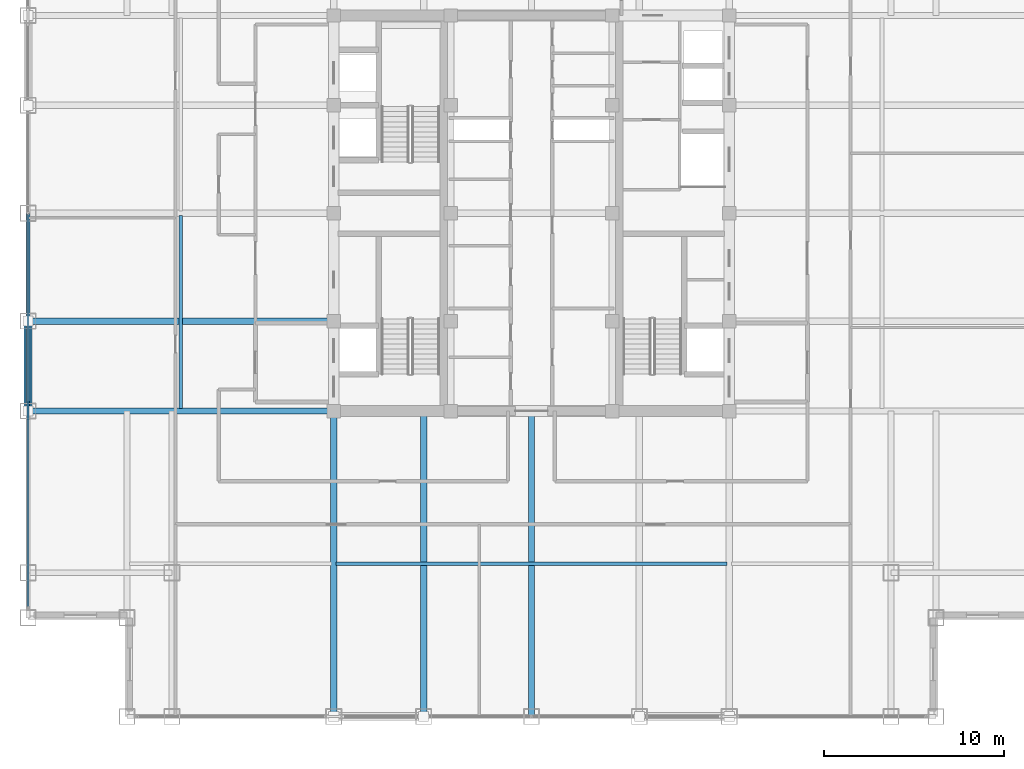
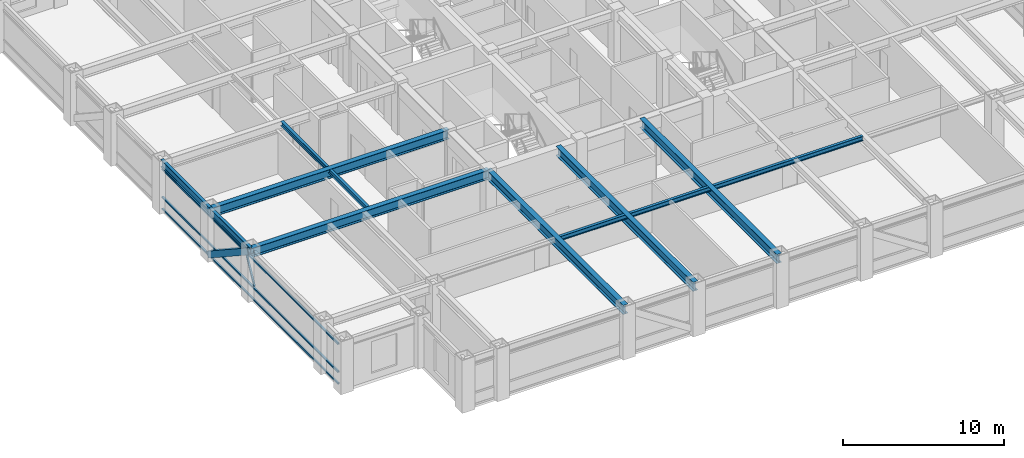
# One storey, part 5 of 22: 9 beams, 5 members, 1 element without a shape of its own.
"""IFC4 building model written with IfcOpenShell, lengths in metres."""

from ifc_helpers import new_model, si_unit, direction, frame, origin, origin_2d, place, context, subcontext, project, spatial, hollow_rectangle, i_section, extrude, source, transform, mapped, material, material_profile, profile_set, type_object, element, aggregate, save


model = new_model("IFC4")

# Units and contexts
model_context = context("Model", 3, precision=1e-05, world=origin(), true_north=direction((0.0, 1.0)))
body_context = subcontext(model_context, "Body", "Model", "MODEL_VIEW")
ifc_project = project(units=[si_unit("LENGTHUNIT", "METRE"), si_unit("AREAUNIT", "SQUARE_METRE"), si_unit("VOLUMEUNIT", "CUBIC_METRE"), si_unit("PLANEANGLEUNIT", "RADIAN"), si_unit("MASSUNIT", "GRAM", prefix="KILO")], contexts=[model_context])

# Site, building, storey
site_placement = place(None, origin())
site = spatial("IfcSite", under=ifc_project, at=site_placement, CompositionType="ELEMENT")
building_placement = place(site_placement, origin())
building = spatial("IfcBuilding", under=site, at=building_placement, Name="Khorayat Bourse Tower", CompositionType="ELEMENT")
storey_placement = place(building_placement, frame((0.0, 0.0, 305.5)))
storey = spatial("IfcBuildingStorey", under=building, at=storey_placement, Name="L72", CompositionType="ELEMENT", Elevation=305.5)

# Member
ifc_material_1 = material(Name="Steel EN 10025-4 S460M", Category="steel")
ifc_material_profile_1 = material_profile(ifc_material_1, hollow_rectangle(XDim=0.449951171875, YDim=0.449951171875, WallThickness=0.02490234375, at=origin_2d()), Name="HSS 450x450x25")
ifc_profile_set_1 = profile_set([ifc_material_profile_1], Name="Steel EN 10025-4 S460M")
member_type_1 = type_object("IfcMemberType", Name="MBR-TUBE-450", PredefinedType="BRACE", material=ifc_profile_set_1)
shared_shape_1 = source(origin(), body_context, "Body", "SweptSolid", [
    extrude(hollow_rectangle(XDim=0.449951171875, YDim=0.449951171875, WallThickness=0.02490234375, at=origin_2d()), origin(), (0.0, 0.0, 1.0), 5.979736328125),
])
member_1_placement = place(storey_placement, frame((-28.0, -11.0, 3.530029296875), z_axis=(0.0, 0.836141536525, -0.548513747227), x_axis=(-1.0, 0.0, 0.0)))
element("IfcMember", 1, at=member_1_placement, inside=storey, type_object=member_type_1, Name="L72 Perimeter Tube Brace 05", PredefinedType="BRACE", context=body_context, shape_type="MappedRepresentation", body=[
    mapped(shared_shape_1, transform((0.0, 0.0, 0.0), scale=1.0)),
])

# Beams
ifc_material_2 = material(Name="Steel ASTM A992 Grade 50", Category="steel")
ifc_material_profile_2 = material_profile(ifc_material_2, i_section(OverallWidth=0.35498046875, OverallDepth=0.695068359375, WebThickness=0.015380859375, FlangeThickness=0.02490234375, FilletRadius=0.01806640625, at=origin_2d()), Name="W690X217")
ifc_profile_set_2 = profile_set([ifc_material_profile_2], Name="Steel ASTM A992 Grade 50")
beam_type_1 = type_object("IfcBeamType", Name="BM-GIRD-690", PredefinedType="BEAM", material=ifc_profile_set_2)
shared_shape_2 = source(origin(), body_context, "Body", "SweptSolid", [
    extrude(i_section(OverallWidth=0.35498046875, OverallDepth=0.695068359375, WebThickness=0.015380859375, FlangeThickness=0.02490234375, FilletRadius=0.01806640625, at=origin_2d()), origin(), (0.0, 0.0, 1.0), 17.0),
])
for number, where, z_axis, x_axis, name in (
    (2, (-11.0, -28.0, 3.4326171875), (0.0, 1.0, 0.0), (-1.0, 0.0, 0.0), "L72 BM-GIRD-690 BM-L72-RADY-065"),
    (3, (-6.0, -28.0, 3.4326171875), (0.0, 1.0, 0.0), (-1.0, 0.0, 0.0), "L72 BM-GIRD-690 BM-L72-RADY-067"),
    (4, (0.0, -28.0, 3.4326171875), (0.0, 1.0, 0.0), (-1.0, 0.0, 0.0), "L72 BM-GIRD-690 BM-L72-RADY-069"),
    (5, (-28.0, -11.0, 3.4326171875), (1.0, 0.0, 0.0), (0.0, 1.0, 0.0), "L72 BM-GIRD-690 BM-L72-RADX-075"),
    (6, (-28.0, -6.0, 3.4326171875), (1.0, 0.0, 0.0), (0.0, 1.0, 0.0), "L72 BM-GIRD-690 BM-L72-RADX-077"),
):
    element("IfcBeam", number, at=place(storey_placement, frame(where, z_axis=z_axis, x_axis=x_axis)), inside=storey, type_object=beam_type_1, Name=name, PredefinedType="BEAM", context=body_context, shape_type="MappedRepresentation", body=[
        mapped(shared_shape_2, transform((0.0, 0.0, 0.0), scale=1.0)),
    ])
ifc_material_profile_3 = material_profile(ifc_material_2, i_section(OverallWidth=0.202880859375, OverallDepth=0.346923828125, WebThickness=0.0078125, FlangeThickness=0.013427734375, FilletRadius=0.010009765625, at=origin_2d()), Name="W360X64")
ifc_profile_set_3 = profile_set([ifc_material_profile_3], Name="Steel ASTM A992 Grade 50")
beam_type_2 = type_object("IfcBeamType", Name="BM-JOIST-360", PredefinedType="JOIST", material=ifc_profile_set_3)
shared_shape_3 = source(origin(), body_context, "Body", "SweptSolid", [
    extrude(i_section(OverallWidth=0.202880859375, OverallDepth=0.346923828125, WebThickness=0.0078125, FlangeThickness=0.013427734375, FilletRadius=0.010009765625, at=origin_2d()), origin(), (0.0, 0.0, 1.0), 21.740234375),
])
beam_1_placement = place(storey_placement, frame((-10.8701171875, -19.5, 3.6064453125), z_axis=(1.0, 0.0, 0.0), x_axis=(0.0, 1.0, 0.0)))
element("IfcBeam", 7, at=beam_1_placement, inside=storey, type_object=beam_type_2, Name="L72 BM-JOIST-360 BM-L72-JSTX-097", PredefinedType="JOIST", context=body_context, shape_type="MappedRepresentation", body=[
    mapped(shared_shape_3, transform((0.0, 0.0, 0.0), scale=1.0)),
])
shared_shape_4 = source(origin(), body_context, "Body", "SweptSolid", [
    extrude(i_section(OverallWidth=0.202880859375, OverallDepth=0.346923828125, WebThickness=0.0078125, FlangeThickness=0.013427734375, FilletRadius=0.010009765625, at=origin_2d()), origin(), (0.0, 0.0, 1.0), 10.740234375),
])
beam_2_placement = place(storey_placement, frame((-19.5, -10.8701171875, 3.6064453125), z_axis=(0.0, 1.0, 0.0), x_axis=(-1.0, 0.0, 0.0)))
element("IfcBeam", 8, at=beam_2_placement, inside=storey, type_object=beam_type_2, Name="L72 BM-JOIST-360 BM-L72-JSTY-102", PredefinedType="JOIST", context=body_context, shape_type="MappedRepresentation", body=[
    mapped(shared_shape_4, transform((0.0, 0.0, 0.0), scale=1.0)),
])
ifc_material_profile_4 = material_profile(ifc_material_2, i_section(OverallWidth=0.214111328125, OverallDepth=0.549072265625, WebThickness=0.0146484375, FlangeThickness=0.023681640625, FilletRadius=0.013916015625, at=origin_2d()), Name="W530X138")
ifc_profile_set_4 = profile_set([ifc_material_profile_4], Name="Steel ASTM A992 Grade 50")
beam_type_3 = type_object("IfcBeamType", Name="BM-SPAN-530", PredefinedType="SPANDREL", material=ifc_profile_set_4)
shared_shape_5 = source(origin(), body_context, "Body", "SweptSolid", [
    extrude(i_section(OverallWidth=0.214111328125, OverallDepth=0.549072265625, WebThickness=0.0146484375, FlangeThickness=0.023681640625, FilletRadius=0.013916015625, at=origin_2d()), origin(), (0.0, 0.0, 1.0), 5.0),
])
beam_3_placement = place(storey_placement, frame((-28.0, -11.0, 3.505615234375), z_axis=(0.0, 1.0, 0.0), x_axis=(-1.0, 0.0, 0.0)))
element("IfcBeam", 9, at=beam_3_placement, inside=storey, type_object=beam_type_3, Name="L72 BM-SPAN-530 BM-L72-SPN-059", PredefinedType="SPANDREL", context=body_context, shape_type="MappedRepresentation", body=[
    mapped(shared_shape_5, transform((0.0, 0.0, 0.0), scale=1.0)),
])
shared_shape_6 = source(origin(), body_context, "Body", "SweptSolid", [
    extrude(i_section(OverallWidth=0.214111328125, OverallDepth=0.549072265625, WebThickness=0.0146484375, FlangeThickness=0.023681640625, FilletRadius=0.013916015625, at=origin_2d()), origin(), (0.0, 0.0, 1.0), 6.0),
])
beam_4_placement = place(storey_placement, frame((-28.0, -6.0, 3.505615234375), z_axis=(0.0, 1.0, 0.0), x_axis=(-1.0, 0.0, 0.0)))
element("IfcBeam", 10, at=beam_4_placement, inside=storey, type_object=beam_type_3, Name="L72 BM-SPAN-530 BM-L72-SPN-058", PredefinedType="SPANDREL", context=body_context, shape_type="MappedRepresentation", body=[
    mapped(shared_shape_6, transform((0.0, 0.0, 0.0), scale=1.0)),
])

# Curtain wall, members
ifc_material_3 = material(Name="Aluminium EN AW-6063 T6", Category="aluminium")
curtain_wall_type = type_object("IfcCurtainWallType", Name="CW-SYS-04", PredefinedType="NOTDEFINED", material=ifc_material_3)
curtain_wall_placement = place(storey_placement, origin())
curtain_wall = element("IfcCurtainWall", 11, at=curtain_wall_placement, inside=storey, type_object=curtain_wall_type, Name="L72 Curtain Wall CW-L72-W1", PredefinedType="NOTDEFINED")
ifc_material_profile_5 = material_profile(ifc_material_3, hollow_rectangle(XDim=0.1201171875, YDim=0.1201171875, WallThickness=0.0048828125, at=origin_2d()), Name="ALU 120x120x5")
ifc_profile_set_5 = profile_set([ifc_material_profile_5], Name="Aluminium EN AW-6063 T6")
member_type_2 = type_object("IfcMemberType", Name="CWM-DIAG-120", PredefinedType="MULLION", material=ifc_profile_set_5)
shared_shape_7 = source(origin(), body_context, "Body", "SweptSolid", [
    extrude(hollow_rectangle(XDim=0.1201171875, YDim=0.1201171875, WallThickness=0.0048828125, at=origin_2d()), origin(), (0.0, 0.0, 1.0), 2.0791015625),
])
member_2_placement = place(storey_placement, frame((-28.0, -11.4541015625, 1.090087890625), z_axis=(0.0, 0.465717394116, 0.884933505309), x_axis=(-1.0, 0.0, 0.0)))
member_2 = element("IfcMember", 12, at=member_2_placement, type_object=member_type_2, Name="CW-L72-W1 Faceted Diagonal Mullion 1", PredefinedType="MULLION", context=body_context, shape_type="MappedRepresentation", body=[
    mapped(shared_shape_7, transform((0.0, 0.0, 0.0), scale=1.0)),
])
ifc_material_profile_6 = material_profile(ifc_material_3, hollow_rectangle(XDim=0.1201171875, YDim=0.1201171875, WallThickness=0.0048828125, at=origin_2d()), Name="ALU 120x120x5")
ifc_profile_set_6 = profile_set([ifc_material_profile_6], Name="Aluminium EN AW-6063 T6")
member_type_3 = type_object("IfcMemberType", Name="CWT-HORZ-120", PredefinedType="USERDEFINED", material=ifc_profile_set_6)
shared_shape_8 = source(origin(), body_context, "Body", "SweptSolid", [
    extrude(hollow_rectangle(XDim=0.1201171875, YDim=0.1201171875, WallThickness=0.0048828125, at=origin_2d()), origin(), (0.0, 0.0, 1.0), 21.81982421875),
])
member_3_placement = place(storey_placement, frame((-28.0, -21.8798828125, 0.06005859375), z_axis=(0.0, 1.0, 0.0), x_axis=(-1.0, 0.0, 0.0)))
member_3 = element("IfcMember", 13, at=member_3_placement, type_object=member_type_3, Name="CW-L72-W1 Horizontal Transom 1-1", ObjectType="TRANSOM", PredefinedType="USERDEFINED", context=body_context, shape_type="MappedRepresentation", body=[
    mapped(shared_shape_8, transform((0.0, 0.0, 0.0), scale=1.0)),
])
member_4_placement = place(storey_placement, frame((-28.0, -21.8798828125, 0.949951171875), z_axis=(0.0, 1.0, 0.0), x_axis=(-1.0, 0.0, 0.0)))
member_4 = element("IfcMember", 14, at=member_4_placement, type_object=member_type_3, Name="CW-L72-W1 Horizontal Transom 1-2", ObjectType="TRANSOM", PredefinedType="USERDEFINED", context=body_context, shape_type="MappedRepresentation", body=[
    mapped(shared_shape_8, transform((0.0, 0.0, 0.0), scale=1.0)),
])
member_5_placement = place(storey_placement, frame((-28.0, -21.8798828125, 3.070068359375), z_axis=(0.0, 1.0, 0.0), x_axis=(-1.0, 0.0, 0.0)))
member_5 = element("IfcMember", 15, at=member_5_placement, type_object=member_type_3, Name="CW-L72-W1 Horizontal Transom 1-3", ObjectType="TRANSOM", PredefinedType="USERDEFINED", context=body_context, shape_type="MappedRepresentation", body=[
    mapped(shared_shape_8, transform((0.0, 0.0, 0.0), scale=1.0)),
])
aggregate(curtain_wall, [member_3, member_4, member_5, member_2])

save(model, "model.ifc")
